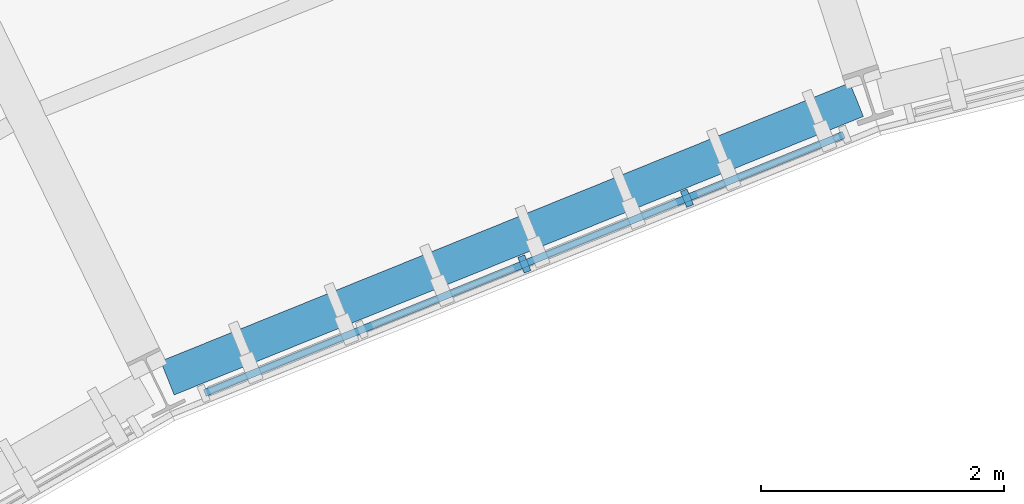
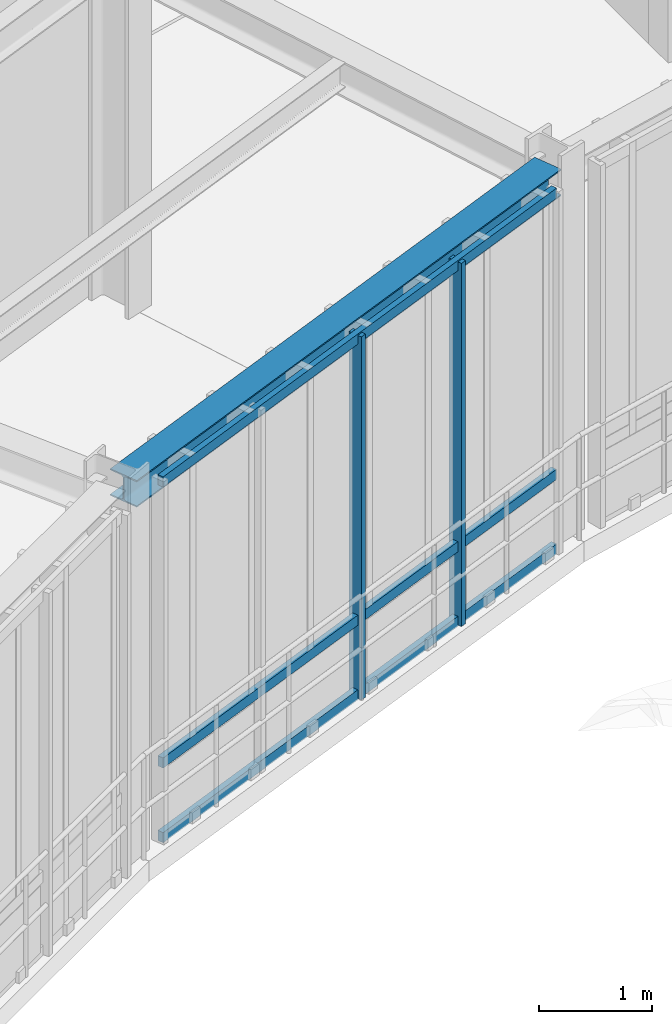
# One storey, part 18 of 57: 5 members, 1 beam, 1 element without a shape of its own.
"""IFC4 building model written with IfcOpenShell, lengths in metres."""

from ifc_helpers import new_model, si_unit, direction, frame, origin, origin_2d, place, context, subcontext, project, spatial, rectangle, i_section, extrude, material, layer, layer_set, material_profile, profile_set, type_object, element, aggregate, save


model = new_model("IFC4")

# Units and contexts
model_context = context("Model", 3, precision=1e-05, world=origin(), true_north=direction((0.0, 1.0)))
body_context = subcontext(model_context, "Body", "Model", "MODEL_VIEW")
ifc_project = project(units=[si_unit("LENGTHUNIT", "METRE"), si_unit("AREAUNIT", "SQUARE_METRE"), si_unit("VOLUMEUNIT", "CUBIC_METRE"), si_unit("PLANEANGLEUNIT", "RADIAN"), si_unit("MASSUNIT", "GRAM", prefix="KILO"), si_unit("THERMODYNAMICTEMPERATUREUNIT", "KELVIN"), si_unit("POWERUNIT", "WATT")], contexts=[model_context])

# Site, building, storey
site_placement = place(None, origin())
site = spatial("IfcSite", under=ifc_project, at=site_placement, CompositionType="ELEMENT")
building_placement = place(site_placement, origin())
building = spatial("IfcBuilding", under=site, at=building_placement, Name="Solvatero Civic Police Headquarters", CompositionType="ELEMENT")
storey_placement = place(building_placement, frame((0.0, 0.0, 9.300048828125)))
storey = spatial("IfcBuildingStorey", under=building, at=storey_placement, Name="L02", CompositionType="ELEMENT", Elevation=9.300048828125)

# Beam
ifc_material_1 = material(Name="Steel S355", Category="steel")
ifc_material_profile_1 = material_profile(ifc_material_1, i_section(OverallWidth=0.300048828125, OverallDepth=0.2900390625, WebThickness=0.008544921875, FlangeThickness=0.013916015625, FilletRadius=0.027099609375, at=origin_2d()), Name="HEA 300")
ifc_profile_set_1 = profile_set([ifc_material_profile_1], Name="Steel S355")
beam_type = type_object("IfcBeamType", Name="BM-ST-HEA300", PredefinedType="SPANDREL", material=ifc_profile_set_1)
beam_placement = place(storey_placement, frame((79.893310546875, 69.093017578125, 3.85498046875), z_axis=(-0.927182224478, -0.374610628001, 0.0), x_axis=(0.374610628001, -0.927182224478, 0.0)))
element("IfcBeam", 1, at=beam_placement, inside=storey, type_object=beam_type, Name="Perimeter / radial spandrel beam BM-R2-L02-ARC-CIN-B04", PredefinedType="SPANDREL", context=body_context, shape_type="SweptSolid", body=[
    extrude(i_section(OverallWidth=0.300048828125, OverallDepth=0.2900390625, WebThickness=0.008544921875, FlangeThickness=0.013916015625, FilletRadius=0.027099609375, at=origin_2d()), origin(), (0.0, 0.0, 1.0), 6.126708984375),
])

# Curtain wall, members
ifc_material_2 = material(Name="Anodized Bronze Aluminium", Category="aluminium")
ifc_layer = layer(ifc_material_2, 0.179931640625)
ifc_layer_set = layer_set([ifc_layer], Name="Anodized Bronze Aluminium")
curtain_wall_type = type_object("IfcCurtainWallType", Name="CW-ARC-IN", PredefinedType="USERDEFINED", material=ifc_layer_set)
curtain_wall_placement = place(storey_placement, origin())
curtain_wall = element("IfcCurtainWall", 2, at=curtain_wall_placement, inside=storey, type_object=curtain_wall_type, Name="Curtain Wall CW-R2-L02-ARC-IN-B04", ObjectType="UNITISED", PredefinedType="USERDEFINED")
ifc_material_profile_2 = material_profile(ifc_material_2, rectangle(XDim=0.06005859375, YDim=0.139892578125, at=origin_2d()), Name="ALU MULLION 60x140")
ifc_profile_set_2 = profile_set([ifc_material_profile_2], Name="Anodized Bronze Aluminium")
member_type_1 = type_object("IfcMemberType", Name="CWM-160x65", PredefinedType="MULLION", material=ifc_profile_set_2)
member_1_placement = place(storey_placement, frame((78.49462890625, 68.280517578125, 0.0), z_axis=(0.0, 0.0, 1.0), x_axis=(-0.927183854567, -0.374606593416, 0.0)))
member_1 = element("IfcMember", 3, at=member_1_placement, type_object=member_type_1, Name="CW-R2-L02-ARC-IN-B04 Mullion 2", PredefinedType="MULLION", context=body_context, shape_type="SweptSolid", body=[
    extrude(rectangle(XDim=0.06005859375, YDim=0.139892578125, at=origin_2d()), origin(), (0.0, 0.0, 1.0), 3.93994140625),
])
member_2_placement = place(storey_placement, frame((77.15478515625, 67.739013671875, 0.0), z_axis=(0.0, 0.0, 1.0), x_axis=(-0.927183854567, -0.374606593416, 0.0)))
member_2 = element("IfcMember", 4, at=member_2_placement, type_object=member_type_1, Name="CW-R2-L02-ARC-IN-B04 Mullion 3", PredefinedType="MULLION", context=body_context, shape_type="SweptSolid", body=[
    extrude(rectangle(XDim=0.06005859375, YDim=0.139892578125, at=origin_2d()), origin(), (0.0, 0.0, 1.0), 3.93994140625),
])
ifc_material_profile_3 = material_profile(ifc_material_2, rectangle(XDim=0.06005859375, YDim=0.110107421875, at=origin_2d()), Name="ALU TRANSOM 60x110")
ifc_profile_set_3 = profile_set([ifc_material_profile_3], Name="Anodized Bronze Aluminium")
member_type_2 = type_object("IfcMemberType", Name="CWT-140x60", PredefinedType="USERDEFINED", material=ifc_profile_set_3)
member_3_placement = place(storey_placement, frame((79.788330078125, 68.802978515625, 0.0400390625), z_axis=(-0.927181851763, -0.37461155049, 0.0), x_axis=(0.37461155049, -0.927181851763, 0.0)))
member_3 = element("IfcMember", 5, at=member_3_placement, type_object=member_type_2, Name="CW-R2-L02-ARC-IN-B04 Transom 1", ObjectType="TRANSOM", PredefinedType="USERDEFINED", context=body_context, shape_type="SweptSolid", body=[
    extrude(rectangle(XDim=0.06005859375, YDim=0.110107421875, at=origin_2d()), origin(), (0.0, 0.0, 1.0), 5.680908203125),
])
member_4_placement = place(storey_placement, frame((79.788330078125, 68.802978515625, 0.849853515625), z_axis=(-0.927181851763, -0.37461155049, 0.0), x_axis=(0.37461155049, -0.927181851763, 0.0)))
member_4 = element("IfcMember", 6, at=member_4_placement, type_object=member_type_2, Name="CW-R2-L02-ARC-IN-B04 Transom 2", ObjectType="TRANSOM", PredefinedType="USERDEFINED", context=body_context, shape_type="SweptSolid", body=[
    extrude(rectangle(XDim=0.06005859375, YDim=0.110107421875, at=origin_2d()), origin(), (0.0, 0.0, 1.0), 5.680908203125),
])
member_5_placement = place(storey_placement, frame((79.788330078125, 68.802978515625, 3.89990234375), z_axis=(-0.927181851763, -0.37461155049, 0.0), x_axis=(0.37461155049, -0.927181851763, 0.0)))
member_5 = element("IfcMember", 7, at=member_5_placement, type_object=member_type_2, Name="CW-R2-L02-ARC-IN-B04 Transom 3", ObjectType="TRANSOM", PredefinedType="USERDEFINED", context=body_context, shape_type="SweptSolid", body=[
    extrude(rectangle(XDim=0.06005859375, YDim=0.110107421875, at=origin_2d()), origin(), (0.0, 0.0, 1.0), 5.680908203125),
])
aggregate(curtain_wall, [member_1, member_2, member_3, member_4, member_5])

save(model, "model.ifc")
